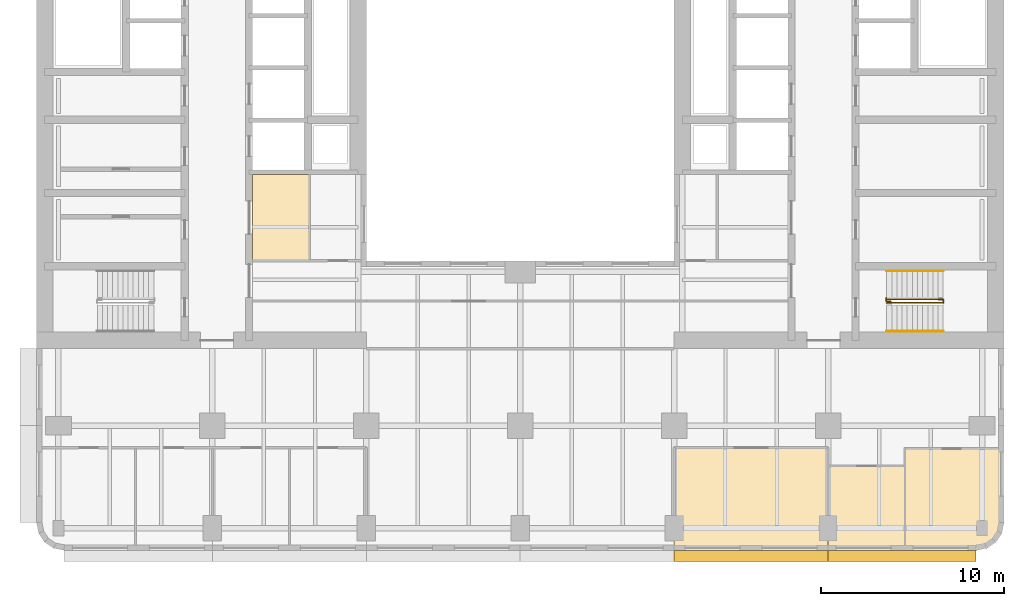
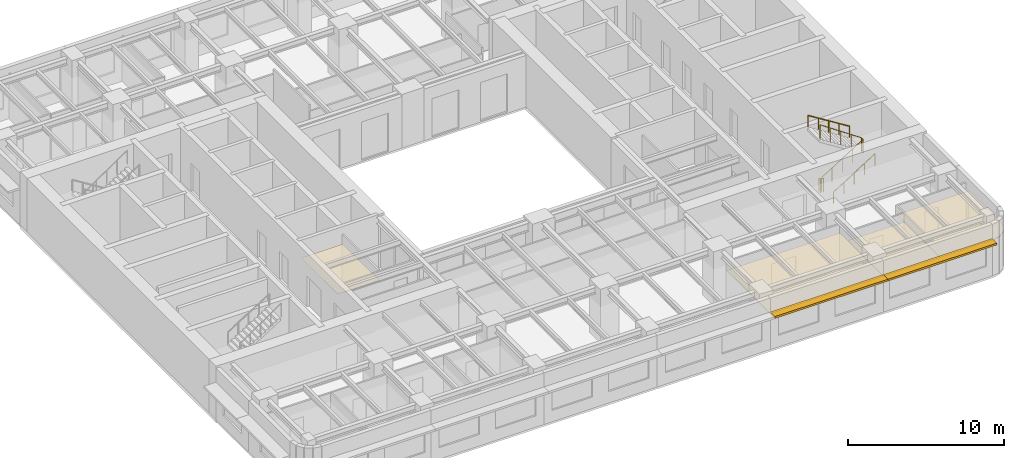
# One storey, part 10 of 11: 4 coverings, 4 railings, 2 shading devices.
"""IFC4 building model written with IfcOpenShell, lengths in metres."""

from ifc_helpers import new_model, si_unit, direction, frame, origin, origin_2d, place, context, subcontext, project, spatial, polyline, rectangle, circle, outline, extrude, material, layer, layer_set, type_object, element, save


model = new_model("IFC4")

# Units and contexts
model_context = context("Model", 3, precision=1e-05, world=origin(), true_north=direction((0.0, 1.0)))
body_context = subcontext(model_context, "Body", "Model", "MODEL_VIEW")
ifc_project = project(units=[si_unit("LENGTHUNIT", "METRE"), si_unit("AREAUNIT", "SQUARE_METRE"), si_unit("VOLUMEUNIT", "CUBIC_METRE"), si_unit("PLANEANGLEUNIT", "RADIAN"), si_unit("MASSUNIT", "GRAM", prefix="KILO")], contexts=[model_context])

# Site, building, storey
site_placement = place(None, origin())
site = spatial("IfcSite", under=ifc_project, at=site_placement, CompositionType="ELEMENT")
building_placement = place(site_placement, origin())
building = spatial("IfcBuilding", under=site, at=building_placement, Name="Claustro Exchange Tower", CompositionType="ELEMENT")
storey_placement = place(building_placement, frame((0.0, 0.0, 105.0)))
storey = spatial("IfcBuildingStorey", under=building, at=storey_placement, Name="L23", CompositionType="ELEMENT", Elevation=105.0)

# Coverings
ifc_material_1 = material(Name="Gypsum board ceiling", Category="gypsum board")
ifc_layer_1 = layer(ifc_material_1, 0.02490234375)
ifc_layer_set_1 = layer_set([ifc_layer_1], Name="Gypsum board ceiling")
covering_type = type_object("IfcCoveringType", Name="CL2 plasterboard ceiling", PredefinedType="CEILING", material=ifc_layer_set_1)
covering_1_placement = place(storey_placement, frame((0.0, 0.0, 2.800048828125)))
element("IfcCovering", 1, at=covering_1_placement, inside=storey, type_object=covering_type, Name="Ceiling CL2 L23-01", PredefinedType="CEILING", context=body_context, shape_type="SweptSolid", body=[
    extrude(outline(polyline([(42.0, 1.60009765625), (46.199951171875, 1.60009765625), (46.199951171875, 6.199951171875), (42.0, 6.199951171875), (42.0, 1.60009765625)])), origin(), (0.0, 0.0, 1.0), 0.02490234375),
])
covering_2_placement = place(storey_placement, frame((0.0, 0.0, 2.800048828125)))
element("IfcCovering", 2, at=covering_2_placement, inside=storey, type_object=covering_type, Name="Ceiling CL2 L23-06", PredefinedType="CEILING", context=body_context, shape_type="SweptSolid", body=[
    extrude(outline(polyline([(33.60009765625, 1.60009765625), (42.0, 1.60009765625), (42.0, 7.199951171875), (33.60009765625, 7.199951171875), (33.60009765625, 1.60009765625)])), origin(), (0.0, 0.0, 1.0), 0.02490234375),
])
covering_3_placement = place(storey_placement, frame((0.0, 0.0, 2.800048828125)))
element("IfcCovering", 3, at=covering_3_placement, inside=storey, type_object=covering_type, Name="Ceiling CL2 L23-07", PredefinedType="CEILING", context=body_context, shape_type="SweptSolid", body=[
    extrude(outline(polyline([(51.60009765625, 3.10009765625), (51.60009765625, 7.14990234375), (46.199951171875, 7.14990234375), (46.199951171875, 1.60009765625), (50.10009765625, 1.60009765625), (50.674072265625, 1.714111328125), (51.16064453125, 2.039306640625), (51.48583984375, 2.52587890625), (51.60009765625, 3.10009765625)])), origin(), (0.0, 0.0, 1.0), 0.02490234375),
])
covering_4_placement = place(storey_placement, frame((0.0, 0.0, 2.800048828125)))
element("IfcCovering", 4, at=covering_4_placement, inside=storey, type_object=covering_type, Name="Ceiling CL2 L23-11", PredefinedType="CEILING", context=body_context, shape_type="SweptSolid", body=[
    extrude(outline(polyline([(13.699951171875, 17.39990234375), (13.699951171875, 22.10009765625), (10.60009765625, 22.10009765625), (10.60009765625, 17.39990234375), (13.699951171875, 17.39990234375)])), origin(), (0.0, 0.0, 1.0), 0.02490234375),
])

# Railings
ifc_material_2 = material(Name="Steel balustrade, painted", Category="steel")
railing_type_1 = type_object("IfcRailingType", Name="GR2 1100 steel stair guard", PredefinedType="GUARDRAIL", material=ifc_material_2)
railing_1_placement = place(storey_placement, frame((45.199951171875, 15.10009765625, 0.175048828125)))
element("IfcRailing", 5, at=railing_1_placement, inside=storey, type_object=railing_type_1, Name="Stair well guard GR2 stair STEA L23", PredefinedType="GUARDRAIL", context=body_context, shape_type="SweptSolid", body=[
    extrude(circle(Radius=0.02392578125, at=origin_2d()), frame((0.0, 0.0, 1.076171875), z_axis=(0.847998304005, 0.0, 0.529998940003), x_axis=(0.0, 1.0, 0.0)), (0.0, 0.0, 1.0), 3.632080078125),
    extrude(circle(Radius=0.02392578125, at=origin_2d()), frame((3.080078125, 0.0, 3.0009765625), z_axis=(0.0, 1.0, 0.0), x_axis=(-1.0, 0.0, 0.0)), (0.0, 0.0, 1.0), 0.199951171875),
    extrude(circle(Radius=0.02392578125, at=origin_2d()), frame((3.080078125, 0.199951171875, 3.0009765625), z_axis=(-0.826252282691, 0.0, 0.563300244406), x_axis=(0.0, -1.0, 0.0)), (0.0, 0.0, 1.0), 3.727783203125),
    extrude(circle(Radius=0.02099609375, at=origin_2d()), origin(), (0.0, 0.0, 1.0), 1.052001953125),
    extrude(circle(Radius=0.02099609375, at=origin_2d()), frame((0.77001953125, 0.0, 0.481201171875)), (0.0, 0.0, 1.0), 1.052001953125),
    extrude(circle(Radius=0.02099609375, at=origin_2d()), frame((1.5400390625, 0.0, 0.96240234375)), (0.0, 0.0, 1.0), 1.052001953125),
    extrude(circle(Radius=0.02099609375, at=origin_2d()), frame((2.31005859375, 0.0, 1.44384765625)), (0.0, 0.0, 1.0), 1.052001953125),
    extrude(circle(Radius=0.02099609375, at=origin_2d()), frame((3.080078125, 0.0, 1.925048828125)), (0.0, 0.0, 1.0), 1.052001953125),
    extrude(circle(Radius=0.02099609375, at=origin_2d()), frame((3.080078125, 0.199951171875, 1.925048828125)), (0.0, 0.0, 1.0), 1.052001953125),
    extrude(circle(Radius=0.02099609375, at=origin_2d()), frame((2.31005859375, 0.199951171875, 2.449951171875)), (0.0, 0.0, 1.0), 1.052001953125),
    extrude(circle(Radius=0.02099609375, at=origin_2d()), frame((1.5400390625, 0.199951171875, 2.97509765625)), (0.0, 0.0, 1.0), 1.052001953125),
    extrude(circle(Radius=0.02099609375, at=origin_2d()), frame((0.77001953125, 0.199951171875, 3.5)), (0.0, 0.0, 1.0), 1.052001953125),
    extrude(circle(Radius=0.02099609375, at=origin_2d()), frame((0.0, 0.199951171875, 4.02490234375)), (0.0, 0.0, 1.0), 1.052001953125),
])
railing_2_placement = place(storey_placement, frame((45.39990234375, 15.169921875, 0.0)))
element("IfcRailing", 6, at=railing_2_placement, inside=storey, type_object=railing_type_1, Name="Stair guard GR2 STEA L23", PredefinedType="GUARDRAIL", context=body_context, shape_type="SweptSolid", body=[
    extrude(circle(Radius=0.02392578125, at=origin_2d()), frame((0.0, 0.0, 1.076171875), z_axis=(0.0, 1.0, 0.0), x_axis=(-1.0, 0.0, 0.0)), (0.0, 0.0, 1.0), 0.030029296875),
    extrude(circle(Radius=0.02392578125, at=origin_2d()), frame((0.0, 0.030029296875, 1.076171875), z_axis=(-1.0, 0.0, 0.0), x_axis=(0.0, -1.0, 0.0)), (0.0, 0.0, 1.0), 0.224853515625),
    extrude(circle(Radius=0.02392578125, at=origin_2d()), frame((-0.224853515625, 0.030029296875, 1.076171875), z_axis=(0.0, 1.0, 0.0), x_axis=(-1.0, 0.0, 0.0)), (0.0, 0.0, 1.0), 0.179931640625),
    extrude(circle(Radius=0.02099609375, at=origin_2d()), origin(), (0.0, 0.0, 1.0), 1.052001953125),
    extrude(circle(Radius=0.02099609375, at=origin_2d()), frame((0.0, 0.030029296875, 0.0)), (0.0, 0.0, 1.0), 1.052001953125),
    extrude(circle(Radius=0.02099609375, at=origin_2d()), frame((-0.224853515625, 0.030029296875, 0.0)), (0.0, 0.0, 1.0), 1.052001953125),
    extrude(circle(Radius=0.02099609375, at=origin_2d()), frame((-0.224853515625, 0.2099609375, 0.0)), (0.0, 0.0, 1.0), 1.052001953125),
])
ifc_material_3 = material(Name="Stainless steel tube", Category="steel")
railing_type_2 = type_object("IfcRailingType", Name="HR1 900 stair handrail", PredefinedType="HANDRAIL", material=ifc_material_3)
railing_3_placement = place(storey_placement, frame((45.199951171875, 13.56005859375, 0.175048828125)))
element("IfcRailing", 7, at=railing_3_placement, inside=storey, type_object=railing_type_2, Name="Handrail HR1 stair STEA L23", PredefinedType="HANDRAIL", context=body_context, shape_type="SweptSolid", body=[
    extrude(circle(Radius=0.02392578125, at=origin_2d()), frame((0.0, 0.0, 0.8759765625), z_axis=(0.847998304005, 0.0, 0.529998940003), x_axis=(0.0, 1.0, 0.0)), (0.0, 0.0, 1.0), 3.632080078125),
    extrude(circle(Radius=0.02099609375, at=origin_2d()), origin(), (0.0, 0.0, 1.0), 0.851806640625),
    extrude(circle(Radius=0.02099609375, at=origin_2d()), frame((0.77001953125, 0.0, 0.481201171875)), (0.0, 0.0, 1.0), 0.851806640625),
    extrude(circle(Radius=0.02099609375, at=origin_2d()), frame((1.5400390625, 0.0, 0.96240234375)), (0.0, 0.0, 1.0), 0.851806640625),
    extrude(circle(Radius=0.02099609375, at=origin_2d()), frame((2.31005859375, 0.0, 1.44384765625)), (0.0, 0.0, 1.0), 0.851806640625),
    extrude(circle(Radius=0.02099609375, at=origin_2d()), frame((3.080078125, 0.0, 1.925048828125)), (0.0, 0.0, 1.0), 0.851806640625),
])
railing_4_placement = place(storey_placement, frame((48.280029296875, 16.840087890625, 2.27490234375)))
element("IfcRailing", 8, at=railing_4_placement, inside=storey, type_object=railing_type_2, Name="Handrail HR1 stair STEA L23", PredefinedType="HANDRAIL", context=body_context, shape_type="SweptSolid", body=[
    extrude(circle(Radius=0.02392578125, at=origin_2d()), frame((0.0, 0.0, 0.8759765625), z_axis=(-0.847998304005, 0.0, 0.529998940003), x_axis=(0.0, -1.0, 0.0)), (0.0, 0.0, 1.0), 3.632080078125),
    extrude(circle(Radius=0.02099609375, at=origin_2d()), origin(), (0.0, 0.0, 1.0), 0.851806640625),
    extrude(circle(Radius=0.02099609375, at=origin_2d()), frame((-0.77001953125, 0.0, 0.481201171875)), (0.0, 0.0, 1.0), 0.851806640625),
    extrude(circle(Radius=0.02099609375, at=origin_2d()), frame((-1.5400390625, 0.0, 0.96240234375)), (0.0, 0.0, 1.0), 0.851806640625),
    extrude(circle(Radius=0.02099609375, at=origin_2d()), frame((-2.31005859375, 0.0, 1.44384765625)), (0.0, 0.0, 1.0), 0.851806640625),
    extrude(circle(Radius=0.02099609375, at=origin_2d()), frame((-3.080078125, 0.0, 1.925048828125)), (0.0, 0.0, 1.0), 0.851806640625),
])

# Shading devices
ifc_material_4 = material(Name="Concrete HA-40 (C40/50), precast, white cement, acid-etched", Category="concrete")
ifc_layer_2 = layer(ifc_material_4, 0.14990234375)
ifc_layer_set_2 = layer_set([ifc_layer_2], Name="Concrete HA-40 (C40/50), precast, white cement, acid-etched")
shading_device_type = type_object("IfcShadingDeviceType", Name="SS1 600 precast concrete SUNSHADE", PredefinedType="SHUTTER", material=ifc_layer_set_2)
shading_device_1_placement = place(storey_placement, frame((46.04248046875, 1.300048828125, 2.800048828125), z_axis=(0.0, 0.0, 1.0), x_axis=(-1.0, 0.0, 0.0)))
element("IfcShadingDevice", 9, at=shading_device_1_placement, inside=storey, type_object=shading_device_type, Name="Precast SUNSHADE SS1 L23", PredefinedType="SHUTTER", context=body_context, shape_type="SweptSolid", body=[
    extrude(rectangle(XDim=8.085205078125, YDim=0.60009765625, at=origin_2d()), origin(), (0.0, 0.0, 1.0), 0.14990234375),
])
shading_device_2_placement = place(storey_placement, frame((37.800048828125, 1.300048828125, 2.800048828125), z_axis=(0.0, 0.0, 1.0), x_axis=(-1.0, 0.0, 0.0)))
element("IfcShadingDevice", 10, at=shading_device_2_placement, inside=storey, type_object=shading_device_type, Name="Precast SUNSHADE SS1 L23", PredefinedType="SHUTTER", context=body_context, shape_type="SweptSolid", body=[
    extrude(rectangle(XDim=8.39990234375, YDim=0.60009765625, at=origin_2d()), origin(), (0.0, 0.0, 1.0), 0.14990234375),
])

save(model, "model.ifc")
